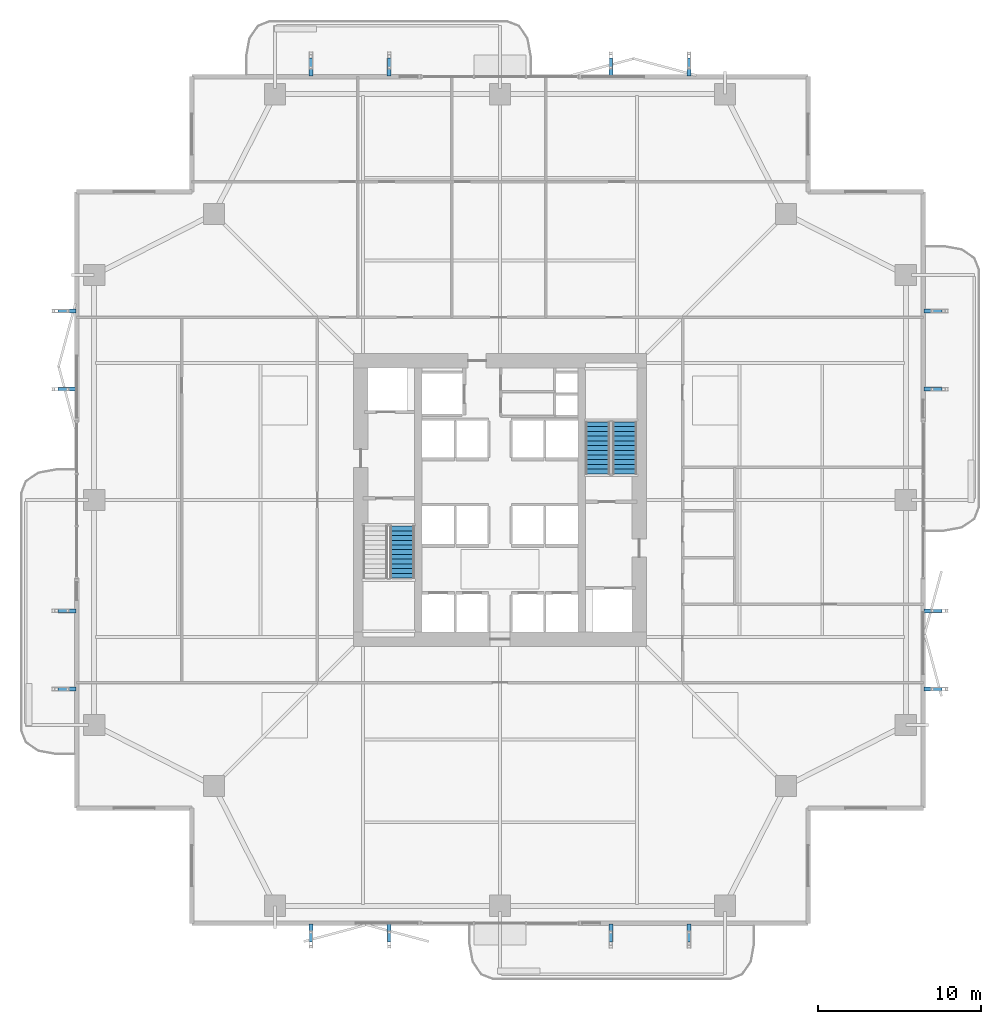
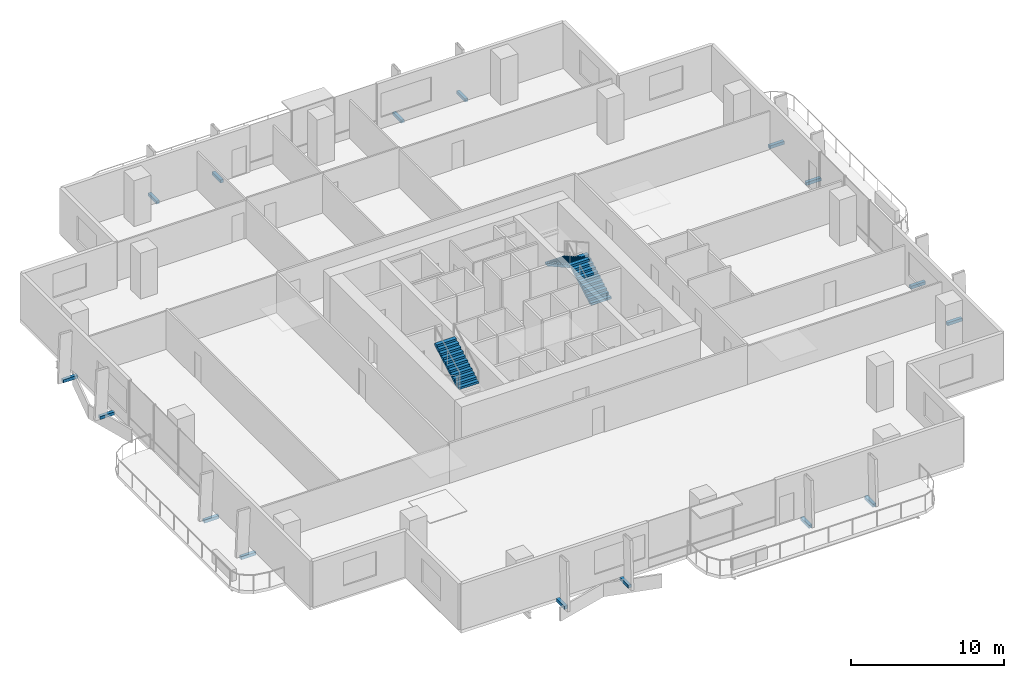
# One storey, part 20 of 24: 16 discrete accessories, 3 stair flights, 2 elements without a shape of their own.
"""IFC4 building model written with IfcOpenShell, lengths in metres."""

from ifc_helpers import new_model, si_unit, direction, frame, origin, origin_2d, place, context, subcontext, project, spatial, polyline, rectangle, outline, extrude, material, layer, layer_set, type_object, element, aggregate, save


model = new_model("IFC4")

# Units and contexts
model_context = context("Model", 3, precision=1e-05, world=origin(), true_north=direction((0.0, 1.0)))
body_context = subcontext(model_context, "Body", "Model", "MODEL_VIEW")
ifc_project = project(units=[si_unit("LENGTHUNIT", "METRE"), si_unit("AREAUNIT", "SQUARE_METRE"), si_unit("VOLUMEUNIT", "CUBIC_METRE"), si_unit("PLANEANGLEUNIT", "RADIAN"), si_unit("MASSUNIT", "GRAM", prefix="KILO")], contexts=[model_context])

# Site, building, storey
site_placement = place(None, origin())
site = spatial("IfcSite", under=ifc_project, at=site_placement, CompositionType="ELEMENT")
building_placement = place(site_placement, origin())
building = spatial("IfcBuilding", under=site, at=building_placement, Name="Belovzor Exchange Tower", CompositionType="ELEMENT")
storey_placement = place(building_placement, frame((0.0, 0.0, 117.300048828125)))
storey = spatial("IfcBuildingStorey", under=building, at=storey_placement, Name="L28", CompositionType="ELEMENT", Elevation=117.300048828125)

# Stair, stair flight
ifc_material_1 = material(Name="Concrete C40/50", Category="concrete")
stair_type = type_object("IfcStairType", Name="Reinforced Concrete Dogleg Escape Stair 1350", PredefinedType="HALF_TURN_STAIR", material=ifc_material_1)
stair_1_placement = place(storey_placement, origin())
stair_1 = element("IfcStair", 1, at=stair_1_placement, inside=storey, type_object=stair_type, Name="L28 ST-1", PredefinedType="HALF_TURN_STAIR")
ifc_material_2 = material(Name="Concrete C40/50", Category="concrete")
stair_flight_type = type_object("IfcStairFlightType", Name="Reinforced Concrete Stair Flight 1350", PredefinedType="STRAIGHT", material=ifc_material_2)
stair_flight_1_placement = place(storey_placement, frame((22.800048828125, 24.010009765625, 1.949951171875), z_axis=(0.0, 0.0, 1.0), x_axis=(0.0, 1.0, 0.0)))
stair_flight_1 = element("IfcStairFlight", 2, at=stair_flight_1_placement, type_object=stair_flight_type, Name="ST-1 flight 2", NumberOfRisers=12, NumberOfTreads=11, PredefinedType="STRAIGHT", RiserHeight=0.1625, TreadLength=0.29, context=body_context, shape_type="SweptSolid", body=[
    extrude(outline(polyline([(0.0, 0.0), (0.0, 0.16259765625), (0.2900390625, 0.16259765625), (0.2900390625, 0.324951171875), (0.580078125, 0.324951171875), (0.580078125, 0.487548828125), (0.8701171875, 0.487548828125), (0.8701171875, 0.64990234375), (1.159912109375, 0.64990234375), (1.159912109375, 0.8125), (1.449951171875, 0.8125), (1.449951171875, 0.97509765625), (1.739990234375, 0.97509765625), (1.739990234375, 1.137451171875), (2.030029296875, 1.137451171875), (2.030029296875, 1.300048828125), (2.320068359375, 1.300048828125), (2.320068359375, 1.46240234375), (2.610107421875, 1.46240234375), (2.610107421875, 1.625), (2.89990234375, 1.625), (2.89990234375, 1.78759765625), (3.18994140625, 1.78759765625), (3.18994140625, 1.949951171875), (3.18994140625, 1.61572265625), (0.306640625, 0.0), (0.0, 0.0)])), frame((0.0, 0.75, 0.0), z_axis=(0.0, -1.0, 0.0), x_axis=(1.0, 0.0, 0.0)), (0.0, 0.0, 1.0), 1.5),
])
aggregate(stair_1, [stair_flight_1])

# Stair, stair flights
stair_2_placement = place(storey_placement, origin())
stair_2 = element("IfcStair", 3, at=stair_2_placement, inside=storey, type_object=stair_type, Name="L28 ST-2", PredefinedType="HALF_TURN_STAIR")
stair_flight_2_placement = place(storey_placement, frame((36.449951171875, 30.39990234375, 0.0), z_axis=(0.0, 0.0, 1.0), x_axis=(0.0, 1.0, 0.0)))
stair_flight_2 = element("IfcStairFlight", 4, at=stair_flight_2_placement, type_object=stair_flight_type, Name="ST-2 flight 1", NumberOfRisers=12, NumberOfTreads=11, PredefinedType="STRAIGHT", RiserHeight=0.1625, TreadLength=0.29, context=body_context, shape_type="SweptSolid", body=[
    extrude(outline(polyline([(0.0, 0.0), (0.0, 0.16259765625), (0.2900390625, 0.16259765625), (0.2900390625, 0.324951171875), (0.580078125, 0.324951171875), (0.580078125, 0.487548828125), (0.8701171875, 0.487548828125), (0.8701171875, 0.64990234375), (1.159912109375, 0.64990234375), (1.159912109375, 0.8125), (1.449951171875, 0.8125), (1.449951171875, 0.97509765625), (1.739990234375, 0.97509765625), (1.739990234375, 1.137451171875), (2.030029296875, 1.137451171875), (2.030029296875, 1.300048828125), (2.320068359375, 1.300048828125), (2.320068359375, 1.46240234375), (2.610107421875, 1.46240234375), (2.610107421875, 1.625), (2.89990234375, 1.625), (2.89990234375, 1.78759765625), (3.18994140625, 1.78759765625), (3.18994140625, 1.949951171875), (3.18994140625, 1.61572265625), (0.306640625, 0.0), (0.0, 0.0)])), frame((0.0, 0.75, 0.0), z_axis=(0.0, -1.0, 0.0), x_axis=(1.0, 0.0, 0.0)), (0.0, 0.0, 1.0), 1.5),
])
stair_flight_3_placement = place(storey_placement, frame((34.800048828125, 33.590087890625, 1.949951171875), z_axis=(0.0, 0.0, 1.0), x_axis=(0.0, -1.0, 0.0)))
stair_flight_3 = element("IfcStairFlight", 5, at=stair_flight_3_placement, type_object=stair_flight_type, Name="ST-2 flight 2", NumberOfRisers=12, NumberOfTreads=11, PredefinedType="STRAIGHT", RiserHeight=0.1625, TreadLength=0.29, context=body_context, shape_type="SweptSolid", body=[
    extrude(outline(polyline([(0.0, 0.0), (0.0, 0.16259765625), (0.2900390625, 0.16259765625), (0.2900390625, 0.324951171875), (0.580078125, 0.324951171875), (0.580078125, 0.487548828125), (0.8701171875, 0.487548828125), (0.8701171875, 0.64990234375), (1.159912109375, 0.64990234375), (1.159912109375, 0.8125), (1.449951171875, 0.8125), (1.449951171875, 0.97509765625), (1.739990234375, 0.97509765625), (1.739990234375, 1.137451171875), (2.030029296875, 1.137451171875), (2.030029296875, 1.300048828125), (2.320068359375, 1.300048828125), (2.320068359375, 1.46240234375), (2.610107421875, 1.46240234375), (2.610107421875, 1.625), (2.89990234375, 1.625), (2.89990234375, 1.78759765625), (3.18994140625, 1.78759765625), (3.18994140625, 1.949951171875), (3.18994140625, 1.61572265625), (0.306640625, 0.0), (0.0, 0.0)])), frame((0.0, 0.75, 0.0), z_axis=(0.0, -1.0, 0.0), x_axis=(1.0, 0.0, 0.0)), (0.0, 0.0, 1.0), 1.5),
])
aggregate(stair_2, [stair_flight_2, stair_flight_3])

# Discrete accessories
ifc_material_3 = material(Name="Stainless Steel Grade 316", Category="steel")
ifc_layer = layer(ifc_material_3, 0.179931640625)
ifc_layer_set = layer_set([ifc_layer], Name="Stainless Steel Grade 316")
discrete_accessory_type = type_object("IfcDiscreteAccessoryType", Name="Stainless Steel Facade Outrigger Fixing Bracket", PredefinedType="BRACKET", material=ifc_layer_set)
for number, where, z_axis, x_axis, name in (
    (6, (17.199951171875, 2.22900390625, -0.2451171875), (0.0, 0.0, 1.0), (0.0, 1.0, 0.0), "BRK-FIN1 Sweeping Fin Outrigger Bracket L28 S1"),
    (7, (17.199951171875, 55.37109375, -0.2451171875), (0.0, 0.0, 1.0), (0.0, 1.0, 0.0), "BRK-FIN1 Sweeping Fin Outrigger Bracket L28 N1"),
    (8, (2.22900390625, 17.199951171875, -0.2451171875), (0.0, 0.0, 1.0), (1.0, 0.0, 0.0), "BRK-FIN1 Sweeping Fin Outrigger Bracket L28 W1"),
    (9, (55.37109375, 17.199951171875, -0.2451171875), (0.0, 0.0, 1.0), (1.0, 0.0, 0.0), "BRK-FIN1 Sweeping Fin Outrigger Bracket L28 E1"),
    (10, (22.0, 2.22900390625, -0.2451171875), (0.0, 0.0, 1.0), (0.0, 1.0, 0.0), "BRK-FIN1 Sweeping Fin Outrigger Bracket L28 S2"),
    (11, (22.0, 55.37109375, -0.2451171875), (0.0, 0.0, 1.0), (0.0, 1.0, 0.0), "BRK-FIN1 Sweeping Fin Outrigger Bracket L28 N2"),
    (12, (2.22900390625, 22.0, -0.2451171875), (0.0, 0.0, 1.0), (1.0, 0.0, 0.0), "BRK-FIN1 Sweeping Fin Outrigger Bracket L28 W2"),
    (13, (55.37109375, 22.0, -0.2451171875), (0.0, 0.0, 1.0), (1.0, 0.0, 0.0), "BRK-FIN1 Sweeping Fin Outrigger Bracket L28 E2"),
    (14, (35.60009765625, 2.22900390625, -0.2451171875), (0.0, 0.0, 1.0), (0.0, 1.0, 0.0), "BRK-FIN1 Sweeping Fin Outrigger Bracket L28 S3"),
    (15, (35.60009765625, 55.37109375, -0.2451171875), (0.0, 0.0, 1.0), (0.0, 1.0, 0.0), "BRK-FIN1 Sweeping Fin Outrigger Bracket L28 N3"),
    (16, (2.22900390625, 35.60009765625, -0.2451171875), (0.0, 0.0, 1.0), (1.0, 0.0, 0.0), "BRK-FIN1 Sweeping Fin Outrigger Bracket L28 W3"),
    (17, (55.37109375, 35.60009765625, -0.2451171875), (0.0, 0.0, 1.0), (1.0, 0.0, 0.0), "BRK-FIN1 Sweeping Fin Outrigger Bracket L28 E3"),
    (18, (40.39990234375, 2.22900390625, -0.2451171875), (0.0, 0.0, 1.0), (0.0, 1.0, 0.0), "BRK-FIN1 Sweeping Fin Outrigger Bracket L28 S4"),
    (19, (40.39990234375, 55.37109375, -0.2451171875), (0.0, 0.0, 1.0), (0.0, 1.0, 0.0), "BRK-FIN1 Sweeping Fin Outrigger Bracket L28 N4"),
    (20, (2.22900390625, 40.39990234375, -0.2451171875), (0.0, 0.0, 1.0), (1.0, 0.0, 0.0), "BRK-FIN1 Sweeping Fin Outrigger Bracket L28 W4"),
    (21, (55.37109375, 40.39990234375, -0.2451171875), (0.0, 0.0, 1.0), (1.0, 0.0, 0.0), "BRK-FIN1 Sweeping Fin Outrigger Bracket L28 E4"),
):
    element("IfcDiscreteAccessory", number, at=place(storey_placement, frame(where, z_axis=z_axis, x_axis=x_axis)), inside=storey, type_object=discrete_accessory_type, Name=name, PredefinedType="BRACKET", context=body_context, shape_type="SweptSolid", body=[
        extrude(rectangle(XDim=1.10205078125, YDim=0.239990234375, at=origin_2d()), origin(), (0.0, 0.0, 1.0), 0.239990234375),
    ])

save(model, "model.ifc")
